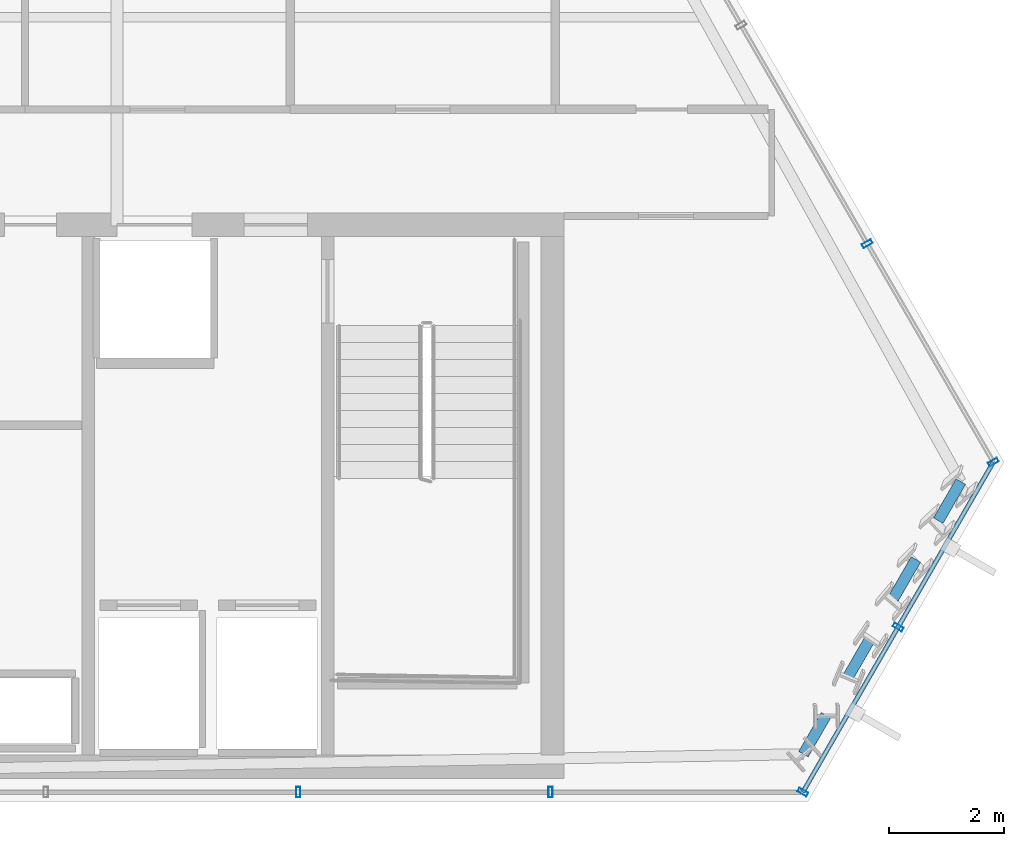
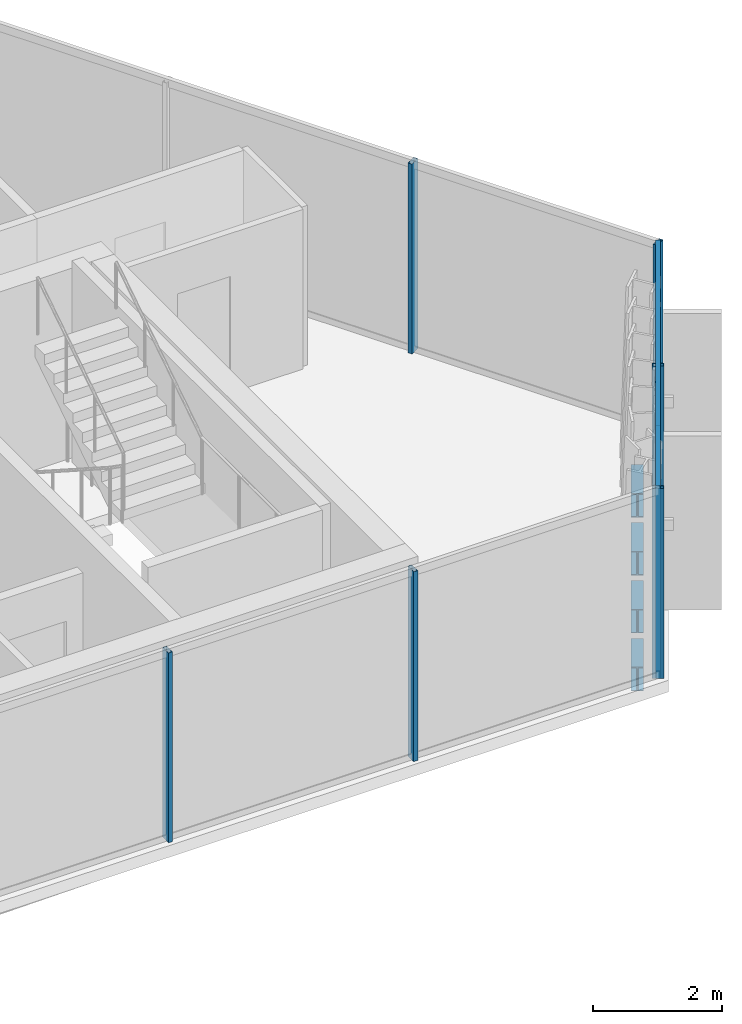
# One storey, part 14 of 29: 8 members, 4 beams, 3 elements without a shape of their own.
"""IFC4 building model written with IfcOpenShell, lengths in metres."""

from ifc_helpers import new_model, si_unit, direction, frame, origin, origin_2d, place, context, subcontext, project, spatial, hollow_rectangle, i_section, extrude, material, layer, layer_set, material_profile, profile_set, type_object, element, aggregate, save


model = new_model("IFC4")

# Units and contexts
model_context = context("Model", 3, precision=1e-05, world=origin(), true_north=direction((0.0, 1.0)))
body_context = subcontext(model_context, "Body", "Model", "MODEL_VIEW")
ifc_project = project(units=[si_unit("LENGTHUNIT", "METRE"), si_unit("AREAUNIT", "SQUARE_METRE"), si_unit("VOLUMEUNIT", "CUBIC_METRE"), si_unit("PLANEANGLEUNIT", "RADIAN"), si_unit("MASSUNIT", "GRAM", prefix="KILO")], contexts=[model_context])

# Site, building, storey
site_placement = place(None, origin())
site = spatial("IfcSite", under=ifc_project, at=site_placement, CompositionType="ELEMENT")
building_placement = place(site_placement, origin())
building = spatial("IfcBuilding", under=site, at=building_placement, Name="Ndaravel Arena Tower", CompositionType="ELEMENT")
storey_placement = place(building_placement, frame((0.0, 0.0, 248.39990234375)))
storey = spatial("IfcBuildingStorey", under=building, at=storey_placement, Name="L60", CompositionType="ELEMENT", Elevation=248.39990234375)

# Beams
ifc_material_1 = material(Name="Steel S355", Category="steel")
ifc_material_profile_1 = material_profile(ifc_material_1, i_section(OverallWidth=0.18994140625, OverallDepth=0.449951171875, WebThickness=0.009521484375, FlangeThickness=0.0146484375, FilletRadius=0.02099609375, at=origin_2d()), Name="IPE 450")
ifc_profile_set_1 = profile_set([ifc_material_profile_1], Name="Steel S355")
beam_type = type_object("IfcBeamType", Name="BM-SPAN-IPE450", PredefinedType="SPANDREL", material=ifc_profile_set_1)
for number, where, z_axis, x_axis, name in (
    (1, (61.7021484375, 5.817626953125, -0.44482421875), (0.500011542666, 0.866018739521, 0.0), (-0.866018739521, 0.500011542666, 0.0), "L60 Perimeter Spandrel Beam SP-02"),
    (2, (62.48193359375, 7.168212890625, -0.44482421875), (0.500011542666, 0.866018739521, 0.0), (-0.866018739521, 0.500011542666, 0.0), "L60 Perimeter Spandrel Beam SP-04"),
    (3, (63.26171875, 8.5185546875, -0.44482421875), (0.500011542666, 0.866018739521, 0.0), (-0.866018739521, 0.500011542666, 0.0), "L60 Perimeter Spandrel Beam SP-06"),
    (4, (64.041259765625, 9.869140625, -0.44482421875), (0.500011542666, 0.866018739521, 0.0), (-0.866018739521, 0.500011542666, 0.0), "L60 Perimeter Spandrel Beam SP-08"),
):
    element("IfcBeam", number, at=place(storey_placement, frame(where, z_axis=z_axis, x_axis=x_axis)), inside=storey, type_object=beam_type, Name=name, PredefinedType="SPANDREL", context=body_context, shape_type="SweptSolid", body=[
        extrude(i_section(OverallWidth=0.18994140625, OverallDepth=0.449951171875, WebThickness=0.009521484375, FlangeThickness=0.0146484375, FilletRadius=0.02099609375, at=origin_2d()), origin(), (0.0, 0.0, 1.0), 0.77978515625),
    ])

# Curtain wall, members
ifc_material_2 = material(Name="Aluminium", Category="aluminium")
ifc_layer_1 = layer(ifc_material_2, 0.179931640625)
ifc_layer_set_1 = layer_set([ifc_layer_1], Name="Aluminium")
curtain_wall_type_1 = type_object("IfcCurtainWallType", Name="CW-SYS-03", PredefinedType="NOTDEFINED", material=ifc_layer_set_1)
curtain_wall_1_placement = place(storey_placement, origin())
curtain_wall_1 = element("IfcCurtainWall", 5, at=curtain_wall_1_placement, inside=storey, type_object=curtain_wall_type_1, Name="L60 Faceted Crystal Curtain Wall CW-L60-E01", PredefinedType="NOTDEFINED")
ifc_material_3 = material(Name="Aluminium", Category="aluminium")
ifc_material_profile_2 = material_profile(ifc_material_3, hollow_rectangle(XDim=0.074951171875, YDim=0.179931640625, WallThickness=0.00390625, at=origin_2d()), Name="CW MULLION 75x180x4")
ifc_profile_set_2 = profile_set([ifc_material_profile_2], Name="Aluminium")
member_type_1 = type_object("IfcMemberType", Name="MEM-CW-MUL180", PredefinedType="MULLION", material=ifc_profile_set_2)
member_1_placement = place(storey_placement, frame((52.93994140625, 5.159912109375, 0.0), z_axis=(0.0, 0.0, 1.0), x_axis=(1.0, 0.0, 0.0)))
member_1 = element("IfcMember", 6, at=member_1_placement, type_object=member_type_1, Name="CW-L60-E01 Mullion 07", PredefinedType="MULLION", context=body_context, shape_type="SweptSolid", body=[
    extrude(hollow_rectangle(XDim=0.074951171875, YDim=0.179931640625, WallThickness=0.00390625, at=origin_2d()), origin(), (0.0, 0.0, 1.0), 3.580078125),
])
member_2_placement = place(storey_placement, frame((57.31591796875, 5.159912109375, 0.0), z_axis=(0.0, 0.0, 1.0), x_axis=(1.0, 0.0, 0.0)))
member_2 = element("IfcMember", 7, at=member_2_placement, type_object=member_type_1, Name="CW-L60-E01 Mullion 08", PredefinedType="MULLION", context=body_context, shape_type="SweptSolid", body=[
    extrude(hollow_rectangle(XDim=0.074951171875, YDim=0.179931640625, WallThickness=0.00390625, at=origin_2d()), origin(), (0.0, 0.0, 1.0), 3.580078125),
])
aggregate(curtain_wall_1, [member_1, member_2])

ifc_material_4 = material(Name="Aluminium", Category="aluminium")
ifc_layer_2 = layer(ifc_material_4, 0.179931640625)
ifc_layer_set_2 = layer_set([ifc_layer_2], Name="Aluminium")
curtain_wall_type_2 = type_object("IfcCurtainWallType", Name="CW-SYS-01", PredefinedType="NOTDEFINED", material=ifc_layer_set_2)
curtain_wall_2_placement = place(storey_placement, origin())
curtain_wall_2 = element("IfcCurtainWall", 8, at=curtain_wall_2_placement, inside=storey, type_object=curtain_wall_type_2, Name="L60 Faceted Crystal Curtain Wall CW-L60-E02", PredefinedType="NOTDEFINED")
member_3_placement = place(storey_placement, frame((61.69189453125, 5.159912109375, 0.0), z_axis=(0.0, 0.0, 1.0), x_axis=(0.5, 0.866025403784, 0.0)))
member_3 = element("IfcMember", 9, at=member_3_placement, type_object=member_type_1, Name="CW-L60-E02 Mullion 00", PredefinedType="MULLION", context=body_context, shape_type="SweptSolid", body=[
    extrude(hollow_rectangle(XDim=0.074951171875, YDim=0.179931640625, WallThickness=0.00390625, at=origin_2d()), origin(), (0.0, 0.0, 1.0), 3.580078125),
])
member_4_placement = place(storey_placement, frame((63.34375, 8.02099609375, 0.0), z_axis=(0.0, 0.0, 1.0), x_axis=(0.5, 0.866025403784, 0.0)))
member_4 = element("IfcMember", 10, at=member_4_placement, type_object=member_type_1, Name="CW-L60-E02 Mullion 01", PredefinedType="MULLION", context=body_context, shape_type="SweptSolid", body=[
    extrude(hollow_rectangle(XDim=0.074951171875, YDim=0.179931640625, WallThickness=0.00390625, at=origin_2d()), origin(), (0.0, 0.0, 1.0), 3.580078125),
])

curtain_wall_3_placement = place(storey_placement, origin())
curtain_wall_3 = element("IfcCurtainWall", 11, at=curtain_wall_3_placement, inside=storey, type_object=curtain_wall_type_1, Name="L60 Faceted Crystal Curtain Wall CW-L60-E03", PredefinedType="NOTDEFINED")
member_5_placement = place(storey_placement, frame((64.99560546875, 10.882080078125, 0.0), z_axis=(0.0, 0.0, 1.0), x_axis=(-0.5, 0.866025403784, 0.0)))
member_5 = element("IfcMember", 12, at=member_5_placement, type_object=member_type_1, Name="CW-L60-E03 Mullion 00", PredefinedType="MULLION", context=body_context, shape_type="SweptSolid", body=[
    extrude(hollow_rectangle(XDim=0.074951171875, YDim=0.179931640625, WallThickness=0.00390625, at=origin_2d()), origin(), (0.0, 0.0, 1.0), 3.580078125),
])
member_6_placement = place(storey_placement, frame((62.8076171875, 14.671630859375, 0.0), z_axis=(0.0, 0.0, 1.0), x_axis=(-0.5, 0.866025403784, 0.0)))
member_6 = element("IfcMember", 13, at=member_6_placement, type_object=member_type_1, Name="CW-L60-E03 Mullion 01", PredefinedType="MULLION", context=body_context, shape_type="SweptSolid", body=[
    extrude(hollow_rectangle(XDim=0.074951171875, YDim=0.179931640625, WallThickness=0.00390625, at=origin_2d()), origin(), (0.0, 0.0, 1.0), 3.580078125),
])
aggregate(curtain_wall_3, [member_5, member_6])

# Member
ifc_material_5 = material(Name="Aluminium", Category="aluminium")
ifc_material_profile_3 = material_profile(ifc_material_5, hollow_rectangle(XDim=0.074951171875, YDim=0.14990234375, WallThickness=0.00390625, at=origin_2d()), Name="CW TRANSOM 75x150x4")
ifc_profile_set_3 = profile_set([ifc_material_profile_3], Name="Aluminium")
member_type_2 = type_object("IfcMemberType", Name="MEM-CW-TRN150", PredefinedType="USERDEFINED", material=ifc_profile_set_3)
member_7_placement = place(storey_placement, frame((61.69189453125, 5.159912109375, 0.0400390625), z_axis=(0.500001784407, 0.866024373554, 0.0), x_axis=(-0.866024373554, 0.500001784407, 0.0)))
member_7 = element("IfcMember", 14, at=member_7_placement, type_object=member_type_2, Name="CW-L60-E02 Transom 01", ObjectType="TRANSOM", PredefinedType="USERDEFINED", context=body_context, shape_type="SweptSolid", body=[
    extrude(hollow_rectangle(XDim=0.074951171875, YDim=0.14990234375, WallThickness=0.00390625, at=origin_2d()), origin(), (0.0, 0.0, 1.0), 6.607421875),
])

member_8_placement = place(storey_placement, frame((61.69189453125, 5.159912109375, 3.5400390625), z_axis=(0.500001784407, 0.866024373554, 0.0), x_axis=(-0.866024373554, 0.500001784407, 0.0)))
member_8 = element("IfcMember", 15, at=member_8_placement, type_object=member_type_2, Name="CW-L60-E02 Transom 02", ObjectType="TRANSOM", PredefinedType="USERDEFINED", context=body_context, shape_type="SweptSolid", body=[
    extrude(hollow_rectangle(XDim=0.074951171875, YDim=0.14990234375, WallThickness=0.00390625, at=origin_2d()), origin(), (0.0, 0.0, 1.0), 6.607421875),
])

aggregate(curtain_wall_2, [member_3, member_4, member_7, member_8])

save(model, "model.ifc")
